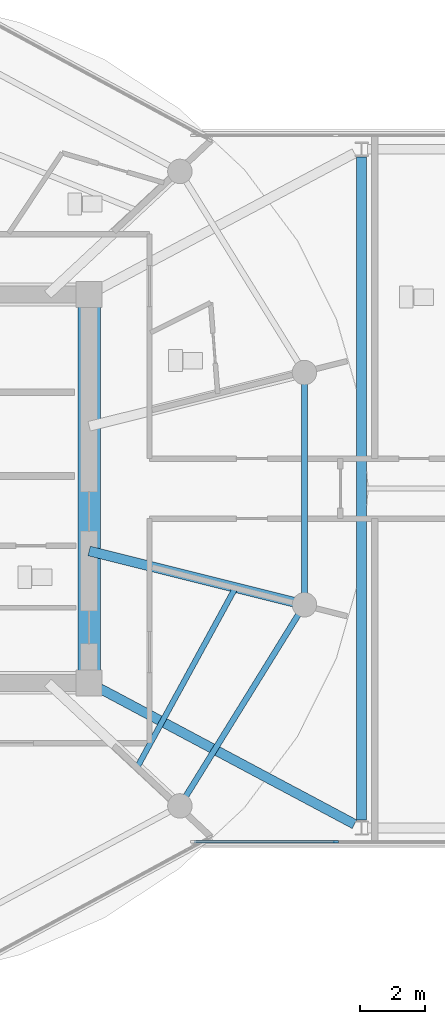
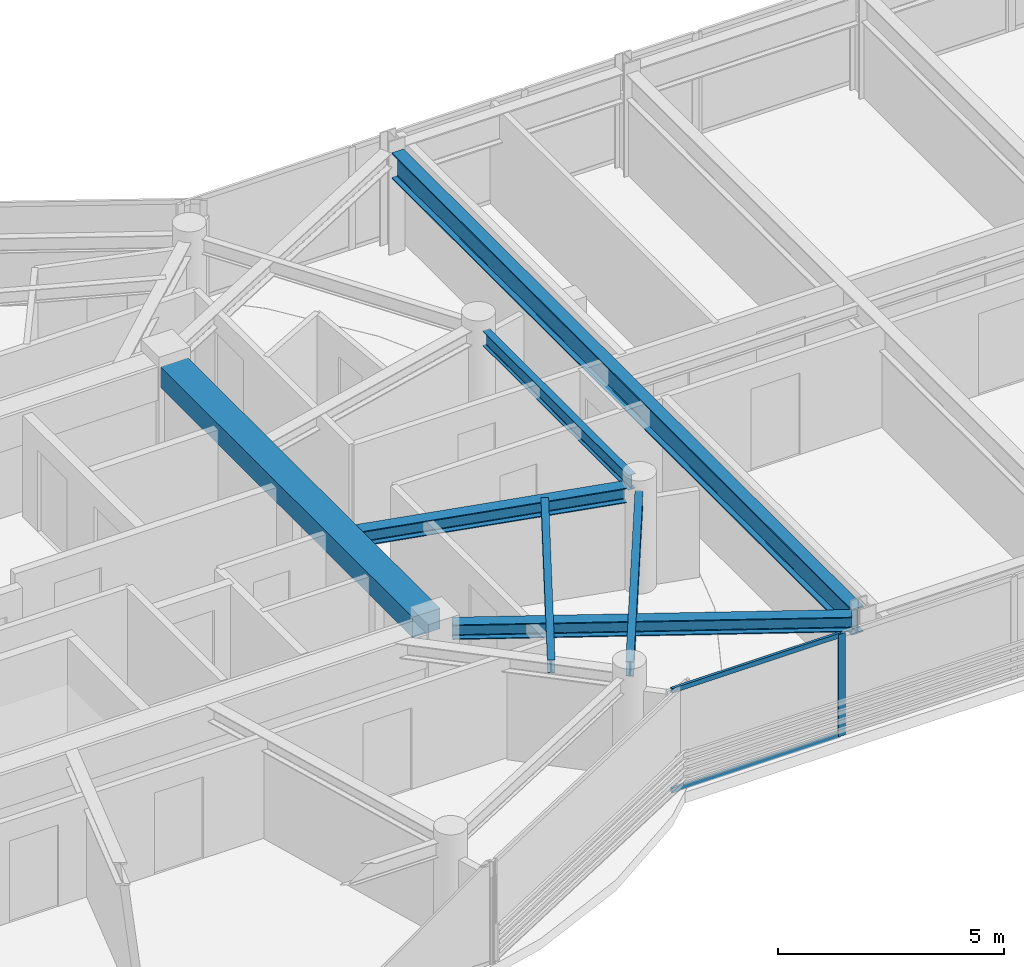
# One storey, part 4 of 26: 7 beams, 3 members, 1 element without a shape of its own.
"""IFC4 building model written with IfcOpenShell, lengths in metres."""

from ifc_helpers import new_model, si_unit, direction, frame, origin, origin_2d, place, context, subcontext, project, spatial, rectangle, i_section, extrude, source, transform, mapped, material, layer, layer_set, material_profile, profile_set, type_object, type_shapes, element, aggregate, save


model = new_model("IFC4")

# Units and contexts
model_context = context("Model", 3, precision=1e-05, world=origin(), true_north=direction((0.0, 1.0)))
body_context = subcontext(model_context, "Body", "Model", "MODEL_VIEW")
ifc_project = project(units=[si_unit("LENGTHUNIT", "METRE"), si_unit("AREAUNIT", "SQUARE_METRE"), si_unit("VOLUMEUNIT", "CUBIC_METRE"), si_unit("PLANEANGLEUNIT", "RADIAN"), si_unit("MASSUNIT", "GRAM", prefix="KILO")], contexts=[model_context])

# Site, building, storey
site_placement = place(None, origin())
site = spatial("IfcSite", under=ifc_project, at=site_placement, CompositionType="ELEMENT")
building_placement = place(site_placement, origin())
building = spatial("IfcBuilding", under=site, at=building_placement, Name="Norrkilde Senior Care Towers", CompositionType="ELEMENT")
storey_placement = place(building_placement, frame((0.0, 0.0, 210.85009765625)))
storey = spatial("IfcBuildingStorey", under=building, at=storey_placement, Name="L65", CompositionType="ELEMENT", Elevation=210.85009765625)

# Beams
ifc_material_1 = material(Name="Concrete C60/75", Category="concrete")
ifc_material_profile_1 = material_profile(ifc_material_1, rectangle(XDim=0.699951171875, YDim=0.550048828125, at=origin_2d()), Name="RC BM 700x550")
ifc_profile_set_1 = profile_set([ifc_material_profile_1], Name="Concrete C60/75")
beam_type_1 = type_object("IfcBeamType", Name="Core Portal Coupling Beam 700x550", PredefinedType="USERDEFINED", material=ifc_profile_set_1)
shared_shape_1 = source(origin(), body_context, "Body", "SweptSolid", [
    extrude(rectangle(XDim=0.699951171875, YDim=0.550048828125, at=origin_2d()), origin(), (0.0, 0.0, 1.0), 11.14013671875),
])
type_shapes(beam_type_1, [shared_shape_1])
beam_1_placement = place(storey_placement, frame((-20.35009765625, -5.570068359375, 2.48486328125), z_axis=(0.0, 1.0, 0.0), x_axis=(-1.0, 0.0, 0.0)))
element("IfcBeam", 1, at=beam_1_placement, inside=storey, type_object=beam_type_1, Name="L65 Core W E Coupling Girder", ObjectType="GIRDER", PredefinedType="USERDEFINED", context=body_context, shape_type="MappedRepresentation", body=[
    mapped(shared_shape_1, transform((0.0, 0.0, 0.0), x_axis=(1.0, 0.0, 0.0), y_axis=(0.0, 1.0, 0.0), z_axis=(0.0, 0.0, 1.0), scale=1.0)),
])
ifc_material_2 = material(Name="Steel S355", Category="steel")
ifc_material_profile_2 = material_profile(ifc_material_2, i_section(OverallWidth=0.179931640625, OverallDepth=0.39990234375, WebThickness=0.008544921875, FlangeThickness=0.013427734375, FilletRadius=0.02099609375, at=origin_2d()), Name="IPE 400")
ifc_profile_set_2 = profile_set([ifc_material_profile_2], Name="Steel S355")
beam_type_2 = type_object("IfcBeamType", Name="Perimeter Ring Spandrel Z4 IPE400", PredefinedType="SPANDREL", material=ifc_profile_set_2)
shared_shape_2 = source(origin(), body_context, "Body", "SweptSolid", [
    extrude(i_section(OverallWidth=0.179931640625, OverallDepth=0.39990234375, WebThickness=0.008544921875, FlangeThickness=0.013427734375, FilletRadius=0.02099609375, at=origin_2d()), origin(), (0.0, 0.0, 1.0), 6.58056640625),
])
beam_2_placement = place(storey_placement, frame((-17.393798828125, -9.43798828125, 2.559814453125), z_axis=(0.526529583789, 0.850156807533, 0.0), x_axis=(-0.850156807533, 0.526529583789, 0.0)))
element("IfcBeam", 2, at=beam_2_placement, inside=storey, type_object=beam_type_2, Name="L65 Drum W Perimeter Spandrel 11", PredefinedType="SPANDREL", context=body_context, shape_type="MappedRepresentation", body=[
    mapped(shared_shape_2, transform((0.0, 0.0, 0.0), x_axis=(1.0, 0.0, 0.0), y_axis=(0.0, 1.0, 0.0), z_axis=(0.0, 0.0, 1.0), scale=1.0)),
])
ifc_material_profile_3 = material_profile(ifc_material_2, i_section(OverallWidth=0.300048828125, OverallDepth=0.39990234375, WebThickness=0.013427734375, FlangeThickness=0.02392578125, FilletRadius=0.027099609375, at=origin_2d()), Name="HEB 400")
ifc_profile_set_3 = profile_set([ifc_material_profile_3], Name="Steel S355")
beam_type_3 = type_object("IfcBeamType", Name="Radial Floor Beam Z4 HEB400", PredefinedType="BEAM", material=ifc_profile_set_3)
shared_shape_3 = source(origin(), body_context, "Body", "SweptSolid", [
    extrude(i_section(OverallWidth=0.300048828125, OverallDepth=0.39990234375, WebThickness=0.013427734375, FlangeThickness=0.02392578125, FilletRadius=0.027099609375, at=origin_2d()), origin(), (0.0, 0.0, 1.0), 6.465087890625),
])
beam_3_placement = place(storey_placement, frame((-20.35009765625, -1.910888671875, 2.559814453125), z_axis=(0.970195788563, -0.242322371758, 0.0), x_axis=(0.242322371758, 0.970195788563, 0.0)))
element("IfcBeam", 3, at=beam_3_placement, inside=storey, type_object=beam_type_3, Name="L65 Drum W Radial Floor Beam 12", PredefinedType="BEAM", context=body_context, shape_type="MappedRepresentation", body=[
    mapped(shared_shape_3, transform((0.0, 0.0, 0.0), x_axis=(1.0, 0.0, 0.0), y_axis=(0.0, 1.0, 0.0), z_axis=(0.0, 0.0, 1.0), scale=1.0)),
])
shared_shape_4 = source(origin(), body_context, "Body", "SweptSolid", [
    extrude(i_section(OverallWidth=0.179931640625, OverallDepth=0.39990234375, WebThickness=0.008544921875, FlangeThickness=0.013427734375, FilletRadius=0.02099609375, at=origin_2d()), origin(), (0.0, 0.0, 1.0), 6.44775390625),
])
type_shapes(beam_type_2, [shared_shape_2, shared_shape_4])
beam_4_placement = place(storey_placement, frame((-13.752685546875, -3.223876953125, 2.559814453125), z_axis=(0.0, 1.0, 0.0), x_axis=(-1.0, 0.0, 0.0)))
element("IfcBeam", 4, at=beam_4_placement, inside=storey, type_object=beam_type_2, Name="L65 Drum W Perimeter Spandrel 12", PredefinedType="SPANDREL", context=body_context, shape_type="MappedRepresentation", body=[
    mapped(shared_shape_4, transform((0.0, 0.0, 0.0), x_axis=(1.0, 0.0, 0.0), y_axis=(0.0, 1.0, 0.0), z_axis=(0.0, 0.0, 1.0), scale=1.0)),
])
ifc_material_profile_4 = material_profile(ifc_material_2, i_section(OverallWidth=0.169921875, OverallDepth=0.360107421875, WebThickness=0.008056640625, FlangeThickness=0.0126953125, FilletRadius=0.01806640625, at=origin_2d()), Name="IPE 360")
ifc_profile_set_4 = profile_set([ifc_material_profile_4], Name="Steel S355")
beam_type_4 = type_object("IfcBeamType", Name="Secondary Floor Joist IPE360", PredefinedType="JOIST", material=ifc_profile_set_4)
shared_shape_5 = source(origin(), body_context, "Body", "SweptSolid", [
    extrude(i_section(OverallWidth=0.169921875, OverallDepth=0.360107421875, WebThickness=0.008056640625, FlangeThickness=0.0126953125, FilletRadius=0.01806640625, at=origin_2d()), origin(), (0.0, 0.0, 1.0), 6.25146484375),
])
type_shapes(beam_type_4, [shared_shape_5])
beam_5_placement = place(storey_placement, frame((-18.865234375, -8.515380859375, 2.579833984375), z_axis=(0.480115752653, 0.877205143655, 0.0), x_axis=(-0.877205143655, 0.480115752653, 0.0)))
element("IfcBeam", 5, at=beam_5_placement, inside=storey, type_object=beam_type_4, Name="L65 Drum W Secondary Floor Joist 4", PredefinedType="JOIST", context=body_context, shape_type="MappedRepresentation", body=[
    mapped(shared_shape_5, transform((0.0, 0.0, 0.0), x_axis=(1.0, 0.0, 0.0), y_axis=(0.0, 1.0, 0.0), z_axis=(0.0, 0.0, 1.0), scale=1.0)),
])
ifc_material_profile_5 = material_profile(ifc_material_2, i_section(OverallWidth=0.300048828125, OverallDepth=0.699951171875, WebThickness=0.01708984375, FlangeThickness=0.031982421875, FilletRadius=0.027099609375, at=origin_2d()), Name="HEB 700")
ifc_profile_set_5 = profile_set([ifc_material_profile_5], Name="Steel S355")
beam_type_5 = type_object("IfcBeamType", Name="Bridge Cross Girder HEB700", PredefinedType="USERDEFINED", material=ifc_profile_set_5)
shared_shape_6 = source(origin(), body_context, "Body", "SweptSolid", [
    extrude(i_section(OverallWidth=0.300048828125, OverallDepth=0.699951171875, WebThickness=0.01708984375, FlangeThickness=0.031982421875, FilletRadius=0.027099609375, at=origin_2d()), origin(), (0.0, 0.0, 1.0), 20.31982421875),
])
type_shapes(beam_type_5, [shared_shape_6])
beam_6_placement = place(storey_placement, frame((-12.0, -10.159912109375, 2.409912109375), z_axis=(0.0, 1.0, 0.0), x_axis=(-1.0, 0.0, 0.0)))
element("IfcBeam", 6, at=beam_6_placement, inside=storey, type_object=beam_type_5, Name="L65 Sky-Gate Bridge Cross Girder -12", ObjectType="GIRDER", PredefinedType="USERDEFINED", context=body_context, shape_type="MappedRepresentation", body=[
    mapped(shared_shape_6, transform((0.0, 0.0, 0.0), x_axis=(1.0, 0.0, 0.0), y_axis=(0.0, 1.0, 0.0), z_axis=(0.0, 0.0, 1.0), scale=1.0)),
])
shared_shape_7 = source(origin(), body_context, "Body", "SweptSolid", [
    extrude(i_section(OverallWidth=0.300048828125, OverallDepth=0.39990234375, WebThickness=0.013427734375, FlangeThickness=0.02392578125, FilletRadius=0.027099609375, at=origin_2d()), origin(), (0.0, 0.0, 1.0), 8.831787109375),
])
type_shapes(beam_type_3, [shared_shape_3, shared_shape_7])
beam_7_placement = place(storey_placement, frame((-20.0146484375, -6.128662109375, 2.559814453125), z_axis=(0.882492172381, -0.470327083727, 0.0), x_axis=(0.470327083727, 0.882492172381, 0.0)))
element("IfcBeam", 7, at=beam_7_placement, inside=storey, type_object=beam_type_3, Name="L65 Sky-Gate Bridge Girder S1", PredefinedType="BEAM", context=body_context, shape_type="MappedRepresentation", body=[
    mapped(shared_shape_7, transform((0.0, 0.0, 0.0), x_axis=(1.0, 0.0, 0.0), y_axis=(0.0, 1.0, 0.0), z_axis=(0.0, 0.0, 1.0), scale=1.0)),
])

# Curtain wall, members
ifc_material_3 = material(Name="Triple Low-E Insulated Glazing", Category="glass")
ifc_layer = layer(ifc_material_3, 0.2099609375)
ifc_layer_set = layer_set([ifc_layer], Name="Triple Low-E Insulated Glazing")
curtain_wall_type = type_object("IfcCurtainWallType", Name="CW5 Sky-Gate Bridge Curtain Wall", PredefinedType="NOTDEFINED", material=ifc_layer_set)
curtain_wall_placement = place(storey_placement, origin())
curtain_wall = element("IfcCurtainWall", 8, at=curtain_wall_placement, inside=storey, type_object=curtain_wall_type, Name="L65 Sky-Gate Bridge South Curtain Wall 3", PredefinedType="NOTDEFINED")
ifc_material_4 = material(Name="Anodised Aluminium", Category="aluminium")
ifc_material_profile_6 = material_profile(ifc_material_4, rectangle(XDim=0.06494140625, YDim=0.1298828125, at=origin_2d()), Name="ALU TRAN 65x130")
ifc_profile_set_6 = profile_set([ifc_material_profile_6], Name="Anodised Aluminium")
member_type_1 = type_object("IfcMemberType", Name="Curtain Wall Transom Heavy 65x130", PredefinedType="USERDEFINED", material=ifc_profile_set_6)
shared_shape_8 = source(origin(), body_context, "Body", "SweptSolid", [
    extrude(rectangle(XDim=0.06494140625, YDim=0.1298828125, at=origin_2d()), origin(), (0.0, 0.0, 1.0), 4.294921875),
])
type_shapes(member_type_1, [shared_shape_8])
member_1_placement = place(storey_placement, frame((-12.8349609375, -10.820068359375, 0.032470703125), z_axis=(-1.0, 0.0, 0.0), x_axis=(0.0, -1.0, 0.0)))
member_1 = element("IfcMember", 9, at=member_1_placement, type_object=member_type_1, Name="CW-5 transom 3.1", ObjectType="TRANSOM", PredefinedType="USERDEFINED", context=body_context, shape_type="MappedRepresentation", body=[
    mapped(shared_shape_8, transform((0.0, 0.0, 0.0), x_axis=(1.0, 0.0, 0.0), y_axis=(0.0, 1.0, 0.0), z_axis=(0.0, 0.0, 1.0), scale=1.0)),
])
member_2_placement = place(storey_placement, frame((-12.8349609375, -10.820068359375, 2.727294921875), z_axis=(-1.0, 0.0, 0.0), x_axis=(0.0, -1.0, 0.0)))
member_2 = element("IfcMember", 10, at=member_2_placement, type_object=member_type_1, Name="CW-5 transom 3.2", ObjectType="TRANSOM", PredefinedType="USERDEFINED", context=body_context, shape_type="MappedRepresentation", body=[
    mapped(shared_shape_8, transform((0.0, 0.0, 0.0), x_axis=(1.0, 0.0, 0.0), y_axis=(0.0, 1.0, 0.0), z_axis=(0.0, 0.0, 1.0), scale=1.0)),
])
ifc_material_profile_7 = material_profile(ifc_material_4, rectangle(XDim=0.070068359375, YDim=0.169921875, at=origin_2d()), Name="ALU MULL 70x170")
ifc_profile_set_7 = profile_set([ifc_material_profile_7], Name="Anodised Aluminium")
member_type_2 = type_object("IfcMemberType", Name="Curtain Wall Mullion Heavy 70x170", PredefinedType="MULLION", material=ifc_profile_set_7)
shared_shape_9 = source(origin(), body_context, "Body", "SweptSolid", [
    extrude(rectangle(XDim=0.070068359375, YDim=0.169921875, at=origin_2d()), origin(), (0.0, 0.0, 1.0), 2.760009765625),
])
type_shapes(member_type_2, [shared_shape_9])
member_3_placement = place(storey_placement, frame((-12.800048828125, -10.820068359375, 0.0), z_axis=(0.0, 0.0, 1.0), x_axis=(0.0, -1.0, 0.0)))
member_3 = element("IfcMember", 11, at=member_3_placement, type_object=member_type_2, Name="CW-5 mullion 3", PredefinedType="MULLION", context=body_context, shape_type="MappedRepresentation", body=[
    mapped(shared_shape_9, transform((0.0, 0.0, 0.0), x_axis=(1.0, 0.0, 0.0), y_axis=(0.0, 1.0, 0.0), z_axis=(0.0, 0.0, 1.0), scale=1.0)),
])
aggregate(curtain_wall, [member_3, member_1, member_2])

save(model, "model.ifc")
